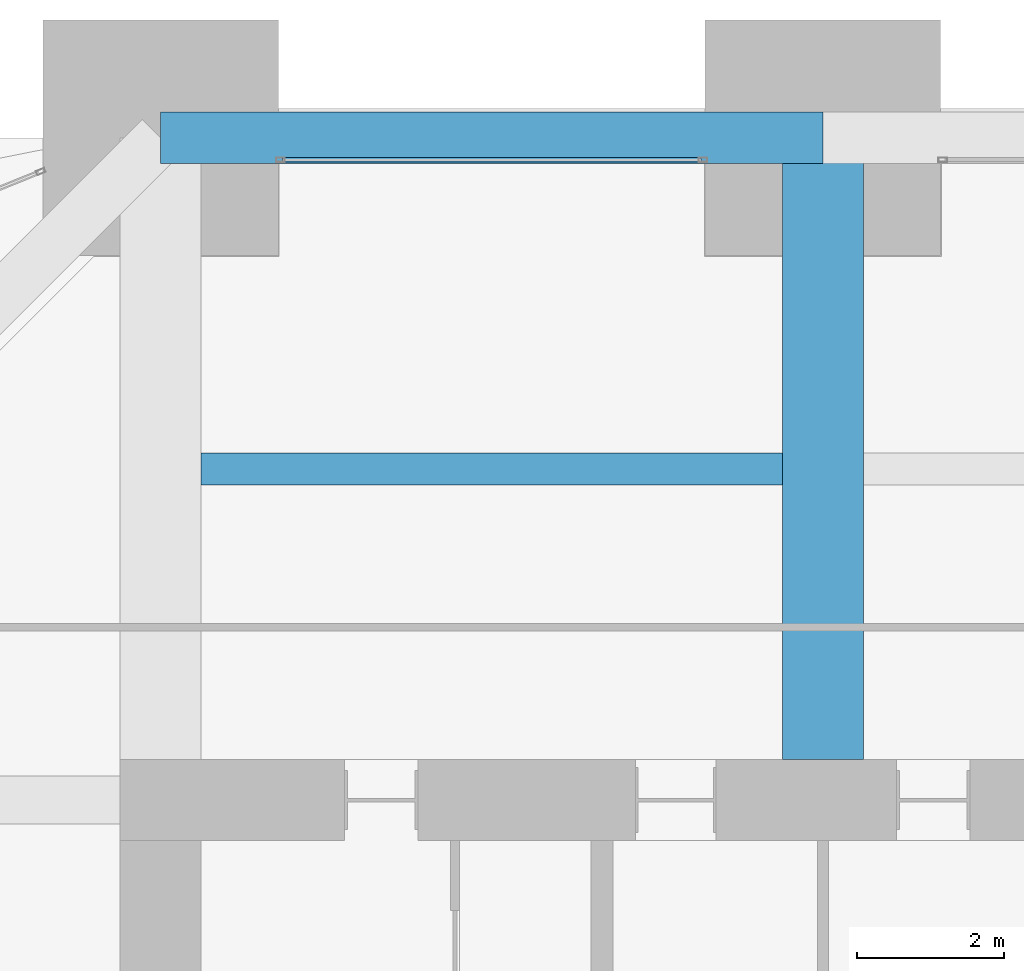
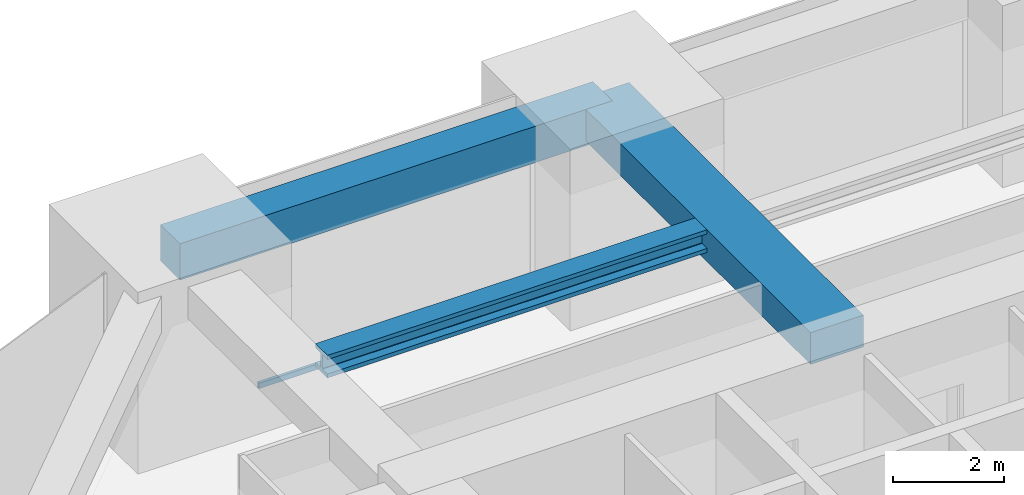
# One storey, part 26 of 40: 3 beams, 1 member, 1 element without a shape of its own.
"""IFC4 building model written with IfcOpenShell, lengths in metres."""

from ifc_helpers import new_model, si_unit, direction, frame, origin, origin_2d, place, context, subcontext, project, spatial, rectangle, hollow_rectangle, i_section, extrude, material, material_profile, profile_set, type_object, element, aggregate, save


model = new_model("IFC4")

# Units and contexts
model_context = context("Model", 3, precision=1e-05, world=origin(), true_north=direction((0.0, 1.0)))
body_context = subcontext(model_context, "Body", "Model", "MODEL_VIEW")
ifc_project = project(units=[si_unit("LENGTHUNIT", "METRE"), si_unit("AREAUNIT", "SQUARE_METRE"), si_unit("VOLUMEUNIT", "CUBIC_METRE"), si_unit("PLANEANGLEUNIT", "RADIAN"), si_unit("MASSUNIT", "GRAM", prefix="KILO")], contexts=[model_context])

# Site, building, storey
site_placement = place(None, origin())
site = spatial("IfcSite", under=ifc_project, at=site_placement, CompositionType="ELEMENT")
building_placement = place(site_placement, origin())
building = spatial("IfcBuilding", under=site, at=building_placement, Name="Zorevar Civic Tower", CompositionType="ELEMENT")
storey_placement = place(building_placement, frame((0.0, 0.0, 239.39990234375)))
storey = spatial("IfcBuildingStorey", under=building, at=storey_placement, Name="L58", CompositionType="ELEMENT", Elevation=239.39990234375)

# Beam
ifc_material_1 = material(Name="Concrete C50/60", Category="concrete")
ifc_material_profile_1 = material_profile(ifc_material_1, rectangle(XDim=1.10009765625, YDim=0.699951171875, at=origin_2d()), Name="RC 1100x700")
ifc_profile_set_1 = profile_set([ifc_material_profile_1], Name="Concrete C50/60")
beam_type_1 = type_object("IfcBeamType", Name="Beam RC 1100x700", PredefinedType="BEAM", material=ifc_profile_set_1)
beam_1_placement = place(storey_placement, frame((27.0, 36.550048828125, 3.400146484375), z_axis=(0.0, 1.0, 0.0), x_axis=(-1.0, 0.0, 0.0)))
element("IfcBeam", 1, at=beam_1_placement, inside=storey, type_object=beam_type_1, Name="Girder L59", PredefinedType="BEAM", context=body_context, shape_type="SweptSolid", body=[
    extrude(rectangle(XDim=1.10009765625, YDim=0.699951171875, at=origin_2d()), origin(), (0.0, 0.0, 1.0), 8.449951171875),
])

# Curtain wall, member
ifc_material_2 = material(Name="Dark grey solar-control glass in black aluminium frame", Category="aluminium")
curtain_wall_type = type_object("IfcCurtainWallType", Name="Curtain wall CW5 top zone", PredefinedType="NOTDEFINED", material=ifc_material_2)
curtain_wall_placement = place(storey_placement, origin())
curtain_wall = element("IfcCurtainWall", 2, at=curtain_wall_placement, inside=storey, type_object=curtain_wall_type, Name="CW5 L58", PredefinedType="NOTDEFINED")
ifc_material_3 = material(Name="Aluminium, black anodised", Category="aluminium")
ifc_material_profile_2 = material_profile(ifc_material_3, hollow_rectangle(XDim=0.06005859375, YDim=0.1201171875, WallThickness=0.0029296875, at=origin_2d()), Name="AL 120x60x3")
ifc_profile_set_2 = profile_set([ifc_material_profile_2], Name="Aluminium, black anodised")
member_type = type_object("IfcMemberType", Name="CW5 transom AL 120x60x3", PredefinedType="USERDEFINED", material=ifc_profile_set_2)
member_placement = place(storey_placement, frame((19.659912109375, 44.699951171875, 0.030029296875), z_axis=(1.0, 0.0, 0.0), x_axis=(0.0, 1.0, 0.0)))
member = element("IfcMember", 3, at=member_placement, type_object=member_type, Name="CW5 sill transom", ObjectType="TRANSOM", PredefinedType="USERDEFINED", context=body_context, shape_type="SweptSolid", body=[
    extrude(hollow_rectangle(XDim=0.06005859375, YDim=0.1201171875, WallThickness=0.0029296875, at=origin_2d()), origin(), (0.0, 0.0, 1.0), 5.68017578125),
])
aggregate(curtain_wall, [member])

# Beams
ifc_material_4 = material(Name="Steel S460M (HISTAR 460)", Category="steel")
ifc_material_profile_3 = material_profile(ifc_material_4, i_section(OverallWidth=0.431884765625, OverallDepth=0.498046875, WebThickness=0.0556640625, FlangeThickness=0.0888671875, FilletRadius=0.014892578125, at=origin_2d()), Name="HD 400x744")
ifc_profile_set_3 = profile_set([ifc_material_profile_3], Name="Steel S460M (HISTAR 460)")
beam_type_2 = type_object("IfcBeamType", Name="Core bay beam HD 400x744", PredefinedType="BEAM", material=ifc_profile_set_3)
beam_2_placement = place(storey_placement, frame((18.550048828125, 40.5, 3.5009765625), z_axis=(1.0, 0.0, 0.0), x_axis=(0.0, 1.0, 0.0)))
element("IfcBeam", 4, at=beam_2_placement, inside=storey, type_object=beam_type_2, Name="Secondary beam L59", PredefinedType="BEAM", context=body_context, shape_type="SweptSolid", body=[
    extrude(i_section(OverallWidth=0.431884765625, OverallDepth=0.498046875, WebThickness=0.0556640625, FlangeThickness=0.0888671875, FilletRadius=0.014892578125, at=origin_2d()), origin(), (0.0, 0.0, 1.0), 7.89990234375),
])
ifc_material_5 = material(Name="Concrete C50/60", Category="concrete")
ifc_material_profile_4 = material_profile(ifc_material_5, rectangle(XDim=0.699951171875, YDim=0.800048828125, at=origin_2d()), Name="RC 700x800")
ifc_profile_set_4 = profile_set([ifc_material_profile_4], Name="Concrete C50/60")
beam_type_3 = type_object("IfcBeamType", Name="Edge beam RC 700x800", PredefinedType="SPANDREL", material=ifc_profile_set_4)
beam_3_placement = place(storey_placement, frame((18.0, 45.0, 3.35009765625), z_axis=(1.0, 0.0, 0.0), x_axis=(0.0, 1.0, 0.0)))
element("IfcBeam", 5, at=beam_3_placement, inside=storey, type_object=beam_type_3, Name="Edge beam L59", PredefinedType="SPANDREL", context=body_context, shape_type="SweptSolid", body=[
    extrude(rectangle(XDim=0.699951171875, YDim=0.800048828125, at=origin_2d()), origin(), (0.0, 0.0, 1.0), 9.0),
])

save(model, "model.ifc")
